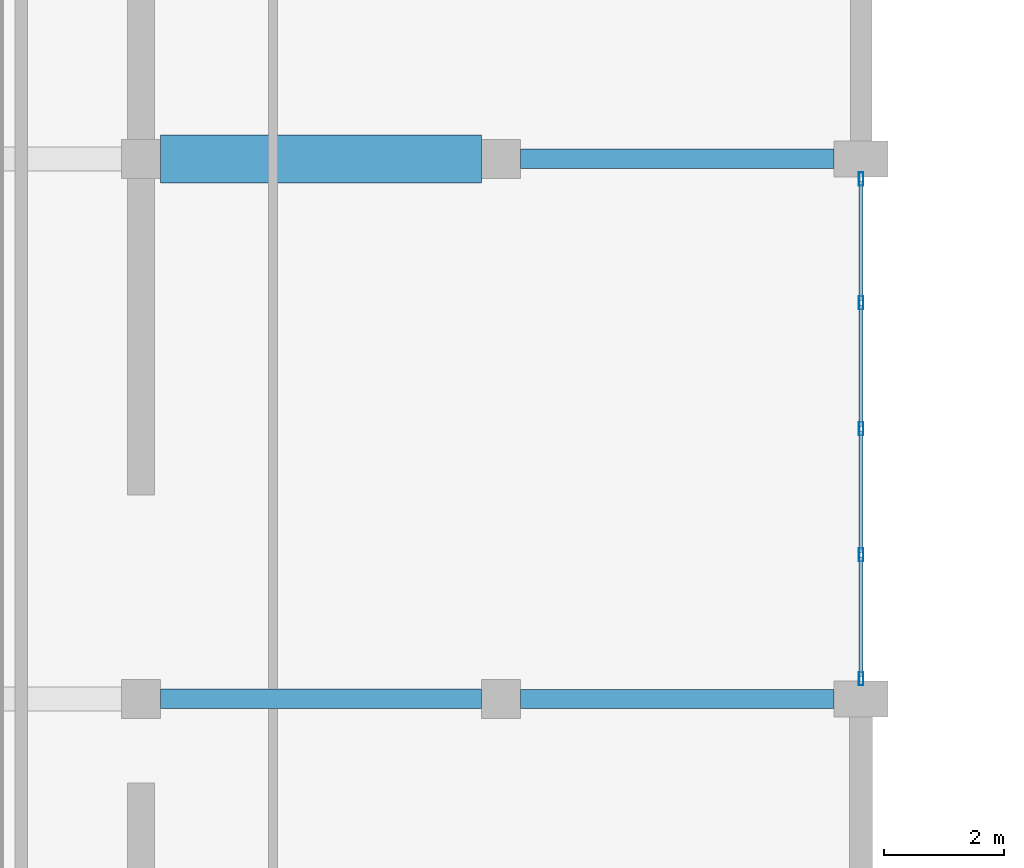
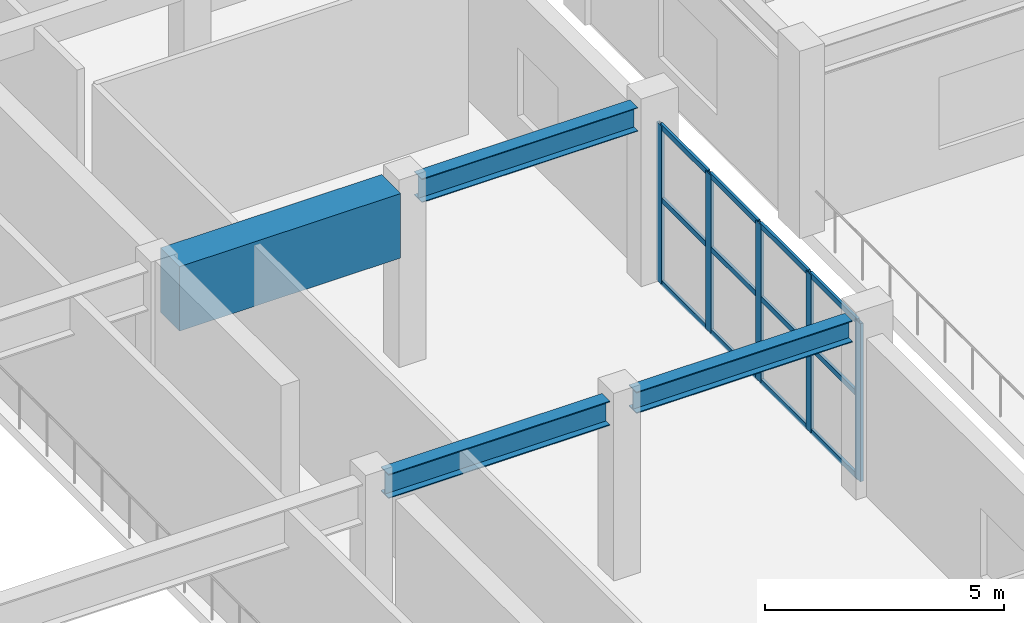
# One storey, part 20 of 62: 17 members, 4 beams, 1 element without a shape of its own.
"""IFC4 building model written with IfcOpenShell, lengths in metres."""

from ifc_helpers import new_model, si_unit, direction, frame, origin, origin_2d, place, context, subcontext, project, spatial, rectangle, hollow_rectangle, i_section, extrude, material, layer, layer_set, material_profile, profile_set, type_object, element, aggregate, save


model = new_model("IFC4")

# Units and contexts
model_context = context("Model", 3, precision=1e-05, world=origin(), true_north=direction((0.0, 1.0)))
body_context = subcontext(model_context, "Body", "Model", "MODEL_VIEW")
ifc_project = project(units=[si_unit("LENGTHUNIT", "METRE"), si_unit("AREAUNIT", "SQUARE_METRE"), si_unit("VOLUMEUNIT", "CUBIC_METRE"), si_unit("PLANEANGLEUNIT", "RADIAN"), si_unit("MASSUNIT", "GRAM", prefix="KILO")], contexts=[model_context])

# Site, building, storey
site_placement = place(None, origin())
site = spatial("IfcSite", under=ifc_project, at=site_placement, CompositionType="ELEMENT")
building_placement = place(site_placement, origin())
building = spatial("IfcBuilding", under=site, at=building_placement, Name="Vaelkrest Opera House", CompositionType="ELEMENT")
storey_placement = place(building_placement, frame((0.0, 0.0, 19.800048828125)))
storey = spatial("IfcBuildingStorey", under=building, at=storey_placement, Name="L04", CompositionType="ELEMENT", Elevation=19.800048828125)

# Beams
ifc_material_1 = material(Name="Concrete C50/60", Category="concrete")
ifc_material_profile_1 = material_profile(ifc_material_1, rectangle(XDim=0.800048828125, YDim=1.64990234375, at=origin_2d()), Name="RCB800X1650")
ifc_profile_set_1 = profile_set([ifc_material_profile_1], Name="Concrete C50/60")
beam_type_1 = type_object("IfcBeamType", Name="B07", PredefinedType="BEAM", material=ifc_profile_set_1)
beam_1_placement = place(storey_placement, frame((18.324951171875, 1.199951171875, 3.679931640625), z_axis=(1.0, 0.0, 0.0), x_axis=(0.0, 1.0, 0.0)))
element("IfcBeam", 1, at=beam_1_placement, inside=storey, type_object=beam_type_1, Name="Beam BM-V1-L04-0560", PredefinedType="BEAM", context=body_context, shape_type="SweptSolid", body=[
    extrude(rectangle(XDim=0.800048828125, YDim=1.64990234375, at=origin_2d()), origin(), (0.0, 0.0, 1.0), 5.35009765625),
])
ifc_material_2 = material(Name="Steel A992 Gr50", Category="steel")
ifc_material_profile_2 = material_profile(ifc_material_2, i_section(OverallWidth=0.323974609375, OverallDepth=0.611083984375, WebThickness=0.0126953125, FlangeThickness=0.01904296875, at=origin_2d()), Name="W24X104")
ifc_profile_set_2 = profile_set([ifc_material_profile_2], Name="Steel A992 Gr50")
beam_type_2 = type_object("IfcBeamType", Name="B08", PredefinedType="BEAM", material=ifc_profile_set_2)
beam_2_placement = place(storey_placement, frame((24.324951171875, 1.199951171875, 4.199462890625), z_axis=(1.0, 0.0, 0.0), x_axis=(0.0, 1.0, 0.0)))
element("IfcBeam", 2, at=beam_2_placement, inside=storey, type_object=beam_type_2, Name="Beam BM-V1-L04-0561", PredefinedType="BEAM", context=body_context, shape_type="SweptSolid", body=[
    extrude(i_section(OverallWidth=0.323974609375, OverallDepth=0.611083984375, WebThickness=0.0126953125, FlangeThickness=0.01904296875, at=origin_2d()), origin(), (0.0, 0.0, 1.0), 5.22509765625),
])
ifc_material_profile_3 = material_profile(ifc_material_2, i_section(OverallWidth=0.326904296875, OverallDepth=0.6220703125, WebThickness=0.015380859375, FlangeThickness=0.0244140625, at=origin_2d()), Name="W24X131")
ifc_profile_set_3 = profile_set([ifc_material_profile_3], Name="Steel A992 Gr50")
beam_type_3 = type_object("IfcBeamType", Name="B19", PredefinedType="BEAM", material=ifc_profile_set_3)
beam_3_placement = place(storey_placement, frame((18.324951171875, -7.800048828125, 4.19384765625), z_axis=(1.0, 0.0, 0.0), x_axis=(0.0, 1.0, 0.0)))
element("IfcBeam", 3, at=beam_3_placement, inside=storey, type_object=beam_type_3, Name="Beam BM-V1-L04-0555", PredefinedType="BEAM", context=body_context, shape_type="SweptSolid", body=[
    extrude(i_section(OverallWidth=0.326904296875, OverallDepth=0.6220703125, WebThickness=0.015380859375, FlangeThickness=0.0244140625, at=origin_2d()), origin(), (0.0, 0.0, 1.0), 5.35009765625),
])
ifc_material_profile_4 = material_profile(ifc_material_2, i_section(OverallWidth=0.31494140625, OverallDepth=0.551025390625, WebThickness=0.01513671875, FlangeThickness=0.0244140625, at=origin_2d()), Name="W21X122")
ifc_profile_set_4 = profile_set([ifc_material_profile_4], Name="Steel A992 Gr50")
beam_type_4 = type_object("IfcBeamType", Name="B20", PredefinedType="BEAM", material=ifc_profile_set_4)
beam_4_placement = place(storey_placement, frame((24.324951171875, -7.800048828125, 4.2294921875), z_axis=(1.0, 0.0, 0.0), x_axis=(0.0, 1.0, 0.0)))
element("IfcBeam", 4, at=beam_4_placement, inside=storey, type_object=beam_type_4, Name="Beam BM-V1-L04-0556", PredefinedType="BEAM", context=body_context, shape_type="SweptSolid", body=[
    extrude(i_section(OverallWidth=0.31494140625, OverallDepth=0.551025390625, WebThickness=0.01513671875, FlangeThickness=0.0244140625, at=origin_2d()), origin(), (0.0, 0.0, 1.0), 5.22509765625),
])

# Curtain wall, members
ifc_material_3 = material(Name="Dark bronze anodized aluminium", Category="aluminium")
ifc_layer = layer(ifc_material_3, 0.239990234375)
ifc_layer_set = layer_set([ifc_layer], Name="Dark bronze anodized aluminium")
curtain_wall_type = type_object("IfcCurtainWallType", Name="CW07", PredefinedType="NOTDEFINED", material=ifc_layer_set)
curtain_wall_placement = place(storey_placement, origin())
curtain_wall = element("IfcCurtainWall", 5, at=curtain_wall_placement, inside=storey, type_object=curtain_wall_type, Name="Curtain wall CW-L04-065", PredefinedType="NOTDEFINED")
ifc_material_profile_5 = material_profile(ifc_material_3, hollow_rectangle(XDim=0.074951171875, YDim=0.219970703125, WallThickness=0.00439453125, at=origin_2d()), Name="CWM75X220")
ifc_profile_set_5 = profile_set([ifc_material_profile_5], Name="Dark bronze anodized aluminium")
member_type_1 = type_object("IfcMemberType", Name="CWM03", PredefinedType="MULLION", material=ifc_profile_set_5)
member_1_placement = place(storey_placement, frame((30.0, 0.864501953125, 0.0), z_axis=(0.0, 0.0, 1.0), x_axis=(1.0, 0.0, 0.0)))
member_1 = element("IfcMember", 6, at=member_1_placement, type_object=member_type_1, Name="CW07 mullion 1", PredefinedType="MULLION", context=body_context, shape_type="SweptSolid", body=[
    extrude(hollow_rectangle(XDim=0.074951171875, YDim=0.219970703125, WallThickness=0.00439453125, at=origin_2d()), origin(), (0.0, 0.0, 1.0), 4.04296875),
])
member_2_placement = place(storey_placement, frame((30.0, -1.198974609375, 0.0), z_axis=(0.0, 0.0, 1.0), x_axis=(1.0, 0.0, 0.0)))
member_2 = element("IfcMember", 7, at=member_2_placement, type_object=member_type_1, Name="CW07 mullion 2", PredefinedType="MULLION", context=body_context, shape_type="SweptSolid", body=[
    extrude(hollow_rectangle(XDim=0.074951171875, YDim=0.219970703125, WallThickness=0.00439453125, at=origin_2d()), origin(), (0.0, 0.0, 1.0), 4.04296875),
])
member_3_placement = place(storey_placement, frame((30.0, -3.300048828125, 0.0), z_axis=(0.0, 0.0, 1.0), x_axis=(1.0, 0.0, 0.0)))
member_3 = element("IfcMember", 8, at=member_3_placement, type_object=member_type_1, Name="CW07 mullion 3", PredefinedType="MULLION", context=body_context, shape_type="SweptSolid", body=[
    extrude(hollow_rectangle(XDim=0.074951171875, YDim=0.219970703125, WallThickness=0.00439453125, at=origin_2d()), origin(), (0.0, 0.0, 1.0), 4.04296875),
])
member_4_placement = place(storey_placement, frame((30.0, -5.40087890625, 0.0), z_axis=(0.0, 0.0, 1.0), x_axis=(1.0, 0.0, 0.0)))
member_4 = element("IfcMember", 9, at=member_4_placement, type_object=member_type_1, Name="CW07 mullion 4", PredefinedType="MULLION", context=body_context, shape_type="SweptSolid", body=[
    extrude(hollow_rectangle(XDim=0.074951171875, YDim=0.219970703125, WallThickness=0.00439453125, at=origin_2d()), origin(), (0.0, 0.0, 1.0), 4.04296875),
])
member_5_placement = place(storey_placement, frame((30.0, -7.464599609375, 0.0), z_axis=(0.0, 0.0, 1.0), x_axis=(1.0, 0.0, 0.0)))
member_5 = element("IfcMember", 10, at=member_5_placement, type_object=member_type_1, Name="CW07 mullion 5", PredefinedType="MULLION", context=body_context, shape_type="SweptSolid", body=[
    extrude(hollow_rectangle(XDim=0.074951171875, YDim=0.219970703125, WallThickness=0.00439453125, at=origin_2d()), origin(), (0.0, 0.0, 1.0), 4.04296875),
])
ifc_material_profile_6 = material_profile(ifc_material_3, hollow_rectangle(XDim=0.06494140625, YDim=0.139892578125, WallThickness=0.00390625, at=origin_2d()), Name="CWT65X140")
ifc_profile_set_6 = profile_set([ifc_material_profile_6], Name="Dark bronze anodized aluminium")
member_type_2 = type_object("IfcMemberType", Name="CWT01", PredefinedType="USERDEFINED", material=ifc_profile_set_6)
member_6_placement = place(storey_placement, frame((30.0, 0.826904296875, 0.032470703125), z_axis=(0.0, -1.0, 0.0), x_axis=(1.0, 0.0, 0.0)))
member_6 = element("IfcMember", 11, at=member_6_placement, type_object=member_type_2, Name="CW07 transom 1.1", ObjectType="TRANSOM", PredefinedType="USERDEFINED", context=body_context, shape_type="SweptSolid", body=[
    extrude(hollow_rectangle(XDim=0.06494140625, YDim=0.139892578125, WallThickness=0.00390625, at=origin_2d()), origin(), (0.0, 0.0, 1.0), 1.988525390625),
])
member_7_placement = place(storey_placement, frame((30.0, 0.826904296875, 2.14990234375), z_axis=(0.0, -1.0, 0.0), x_axis=(1.0, 0.0, 0.0)))
member_7 = element("IfcMember", 12, at=member_7_placement, type_object=member_type_2, Name="CW07 transom 1.2", ObjectType="TRANSOM", PredefinedType="USERDEFINED", context=body_context, shape_type="SweptSolid", body=[
    extrude(hollow_rectangle(XDim=0.06494140625, YDim=0.139892578125, WallThickness=0.00390625, at=origin_2d()), origin(), (0.0, 0.0, 1.0), 1.988525390625),
])
member_8_placement = place(storey_placement, frame((30.0, 0.826904296875, 4.010498046875), z_axis=(0.0, -1.0, 0.0), x_axis=(1.0, 0.0, 0.0)))
member_8 = element("IfcMember", 13, at=member_8_placement, type_object=member_type_2, Name="CW07 transom 1.3", ObjectType="TRANSOM", PredefinedType="USERDEFINED", context=body_context, shape_type="SweptSolid", body=[
    extrude(hollow_rectangle(XDim=0.06494140625, YDim=0.139892578125, WallThickness=0.00390625, at=origin_2d()), origin(), (0.0, 0.0, 1.0), 1.988525390625),
])
member_9_placement = place(storey_placement, frame((30.0, -1.236572265625, 0.032470703125), z_axis=(0.0, -1.0, 0.0), x_axis=(1.0, 0.0, 0.0)))
member_9 = element("IfcMember", 14, at=member_9_placement, type_object=member_type_2, Name="CW07 transom 2.1", ObjectType="TRANSOM", PredefinedType="USERDEFINED", context=body_context, shape_type="SweptSolid", body=[
    extrude(hollow_rectangle(XDim=0.06494140625, YDim=0.139892578125, WallThickness=0.00390625, at=origin_2d()), origin(), (0.0, 0.0, 1.0), 2.02587890625),
])
member_10_placement = place(storey_placement, frame((30.0, -1.236572265625, 2.14990234375), z_axis=(0.0, -1.0, 0.0), x_axis=(1.0, 0.0, 0.0)))
member_10 = element("IfcMember", 15, at=member_10_placement, type_object=member_type_2, Name="CW07 transom 2.2", ObjectType="TRANSOM", PredefinedType="USERDEFINED", context=body_context, shape_type="SweptSolid", body=[
    extrude(hollow_rectangle(XDim=0.06494140625, YDim=0.139892578125, WallThickness=0.00390625, at=origin_2d()), origin(), (0.0, 0.0, 1.0), 2.02587890625),
])
member_11_placement = place(storey_placement, frame((30.0, -1.236572265625, 4.010498046875), z_axis=(0.0, -1.0, 0.0), x_axis=(1.0, 0.0, 0.0)))
member_11 = element("IfcMember", 16, at=member_11_placement, type_object=member_type_2, Name="CW07 transom 2.3", ObjectType="TRANSOM", PredefinedType="USERDEFINED", context=body_context, shape_type="SweptSolid", body=[
    extrude(hollow_rectangle(XDim=0.06494140625, YDim=0.139892578125, WallThickness=0.00390625, at=origin_2d()), origin(), (0.0, 0.0, 1.0), 2.02587890625),
])
member_12_placement = place(storey_placement, frame((30.0, -3.33740234375, 0.032470703125), z_axis=(0.0, -1.0, 0.0), x_axis=(1.0, 0.0, 0.0)))
member_12 = element("IfcMember", 17, at=member_12_placement, type_object=member_type_2, Name="CW07 transom 3.1", ObjectType="TRANSOM", PredefinedType="USERDEFINED", context=body_context, shape_type="SweptSolid", body=[
    extrude(hollow_rectangle(XDim=0.06494140625, YDim=0.139892578125, WallThickness=0.00390625, at=origin_2d()), origin(), (0.0, 0.0, 1.0), 2.026123046875),
])
member_13_placement = place(storey_placement, frame((30.0, -3.33740234375, 2.14990234375), z_axis=(0.0, -1.0, 0.0), x_axis=(1.0, 0.0, 0.0)))
member_13 = element("IfcMember", 18, at=member_13_placement, type_object=member_type_2, Name="CW07 transom 3.2", ObjectType="TRANSOM", PredefinedType="USERDEFINED", context=body_context, shape_type="SweptSolid", body=[
    extrude(hollow_rectangle(XDim=0.06494140625, YDim=0.139892578125, WallThickness=0.00390625, at=origin_2d()), origin(), (0.0, 0.0, 1.0), 2.026123046875),
])
member_14_placement = place(storey_placement, frame((30.0, -3.33740234375, 4.010498046875), z_axis=(0.0, -1.0, 0.0), x_axis=(1.0, 0.0, 0.0)))
member_14 = element("IfcMember", 19, at=member_14_placement, type_object=member_type_2, Name="CW07 transom 3.3", ObjectType="TRANSOM", PredefinedType="USERDEFINED", context=body_context, shape_type="SweptSolid", body=[
    extrude(hollow_rectangle(XDim=0.06494140625, YDim=0.139892578125, WallThickness=0.00390625, at=origin_2d()), origin(), (0.0, 0.0, 1.0), 2.026123046875),
])
member_15_placement = place(storey_placement, frame((30.0, -5.4384765625, 0.032470703125), z_axis=(0.0, -1.0, 0.0), x_axis=(1.0, 0.0, 0.0)))
member_15 = element("IfcMember", 20, at=member_15_placement, type_object=member_type_2, Name="CW07 transom 4.1", ObjectType="TRANSOM", PredefinedType="USERDEFINED", context=body_context, shape_type="SweptSolid", body=[
    extrude(hollow_rectangle(XDim=0.06494140625, YDim=0.139892578125, WallThickness=0.00390625, at=origin_2d()), origin(), (0.0, 0.0, 1.0), 1.988525390625),
])
member_16_placement = place(storey_placement, frame((30.0, -5.4384765625, 2.14990234375), z_axis=(0.0, -1.0, 0.0), x_axis=(1.0, 0.0, 0.0)))
member_16 = element("IfcMember", 21, at=member_16_placement, type_object=member_type_2, Name="CW07 transom 4.2", ObjectType="TRANSOM", PredefinedType="USERDEFINED", context=body_context, shape_type="SweptSolid", body=[
    extrude(hollow_rectangle(XDim=0.06494140625, YDim=0.139892578125, WallThickness=0.00390625, at=origin_2d()), origin(), (0.0, 0.0, 1.0), 1.988525390625),
])
member_17_placement = place(storey_placement, frame((30.0, -5.4384765625, 4.010498046875), z_axis=(0.0, -1.0, 0.0), x_axis=(1.0, 0.0, 0.0)))
member_17 = element("IfcMember", 22, at=member_17_placement, type_object=member_type_2, Name="CW07 transom 4.3", ObjectType="TRANSOM", PredefinedType="USERDEFINED", context=body_context, shape_type="SweptSolid", body=[
    extrude(hollow_rectangle(XDim=0.06494140625, YDim=0.139892578125, WallThickness=0.00390625, at=origin_2d()), origin(), (0.0, 0.0, 1.0), 1.988525390625),
])
aggregate(curtain_wall, [member_1, member_2, member_3, member_4, member_5, member_6, member_7, member_8, member_9, member_10, member_11, member_12, member_13, member_14, member_15, member_16, member_17])

save(model, "model.ifc")
